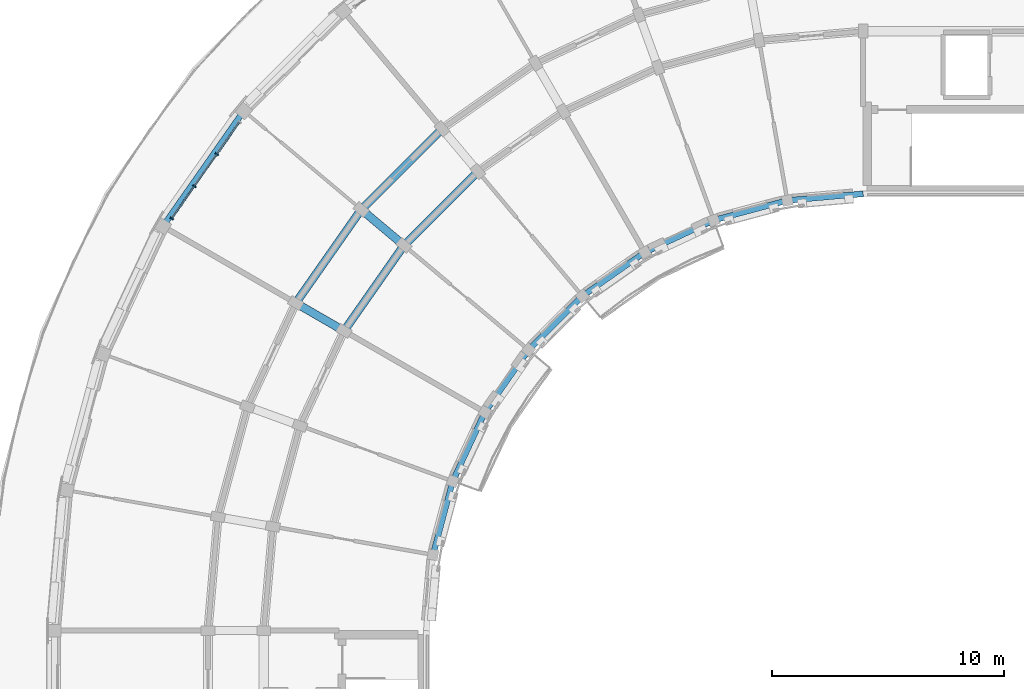
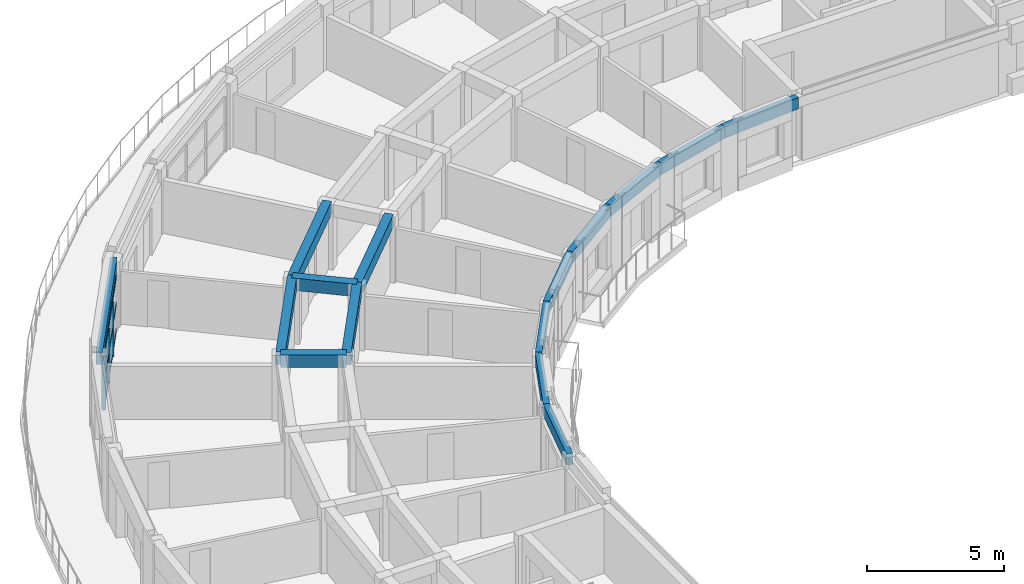
# One storey, part 2 of 14: 15 beams, 6 members, 1 element without a shape of its own.
"""IFC4 building model written with IfcOpenShell, lengths in metres."""

from ifc_helpers import new_model, si_unit, direction, frame, origin, origin_2d, place, context, subcontext, project, spatial, rectangle, extrude, material, material_profile, profile_set, type_object, element, aggregate, save


model = new_model("IFC4")

# Units and contexts
model_context = context("Model", 3, precision=1e-05, world=origin(), true_north=direction((0.0, 1.0)))
body_context = subcontext(model_context, "Body", "Model", "MODEL_VIEW")
ifc_project = project(units=[si_unit("LENGTHUNIT", "METRE"), si_unit("AREAUNIT", "SQUARE_METRE"), si_unit("VOLUMEUNIT", "CUBIC_METRE"), si_unit("PLANEANGLEUNIT", "RADIAN"), si_unit("MASSUNIT", "GRAM", prefix="KILO")], contexts=[model_context])

# Site, building, storey
site_placement = place(None, origin())
site = spatial("IfcSite", under=ifc_project, at=site_placement, CompositionType="ELEMENT")
building_placement = place(site_placement, origin())
building = spatial("IfcBuilding", under=site, at=building_placement, Name="Kiranvali Square Residences", CompositionType="ELEMENT")
storey_placement = place(building_placement, frame((0.0, 0.0, 49.64990234375)))
storey = spatial("IfcBuildingStorey", under=building, at=storey_placement, Name="L15", CompositionType="ELEMENT", Elevation=49.64990234375)

# Beams
ifc_material_1 = material(Name="Concrete M40 (40 MPa)", Category="concrete")
ifc_material_profile_1 = material_profile(ifc_material_1, rectangle(XDim=0.35009765625, YDim=0.550048828125, at=origin_2d()), Name="RC 350x550")
ifc_profile_set_1 = profile_set([ifc_material_profile_1], Name="Concrete M40 (40 MPa)")
beam_type_1 = type_object("IfcBeamType", Name="BM-M40-350x550", PredefinedType="BEAM", material=ifc_profile_set_1)
beam_1_placement = place(storey_placement, frame((31.615966796875, 107.56396484375, 2.635009765625), z_axis=(-0.707106781187, -0.707106781187, 0.0), x_axis=(0.707106781187, -0.707106781187, 0.0)))
element("IfcBeam", 1, at=beam_1_placement, inside=storey, type_object=beam_type_1, Name="L15 beam BM-A-L15-C04-R1", PredefinedType="BEAM", context=body_context, shape_type="SweptSolid", body=[
    extrude(rectangle(XDim=0.35009765625, YDim=0.550048828125, at=origin_2d()), origin(), (0.0, 0.0, 1.0), 4.4970703125),
])
beam_2_placement = place(storey_placement, frame((30.073486328125, 109.40234375, 2.635009765625), z_axis=(-0.707106781187, -0.707106781187, 0.0), x_axis=(0.707106781187, -0.707106781187, 0.0)))
element("IfcBeam", 2, at=beam_2_placement, inside=storey, type_object=beam_type_1, Name="L15 beam BM-A-L15-C04-R2", PredefinedType="BEAM", context=body_context, shape_type="SweptSolid", body=[
    extrude(rectangle(XDim=0.35009765625, YDim=0.550048828125, at=origin_2d()), origin(), (0.0, 0.0, 1.0), 4.91552734375),
])
beam_3_placement = place(storey_placement, frame((28.43603515625, 104.384033203125, 2.635009765625), z_axis=(-0.573571637217, -0.819155404658, 0.0), x_axis=(0.819155404658, -0.573571637217, 0.0)))
element("IfcBeam", 3, at=beam_3_placement, inside=storey, type_object=beam_type_1, Name="L15 beam BM-A-L15-C05-R1", PredefinedType="BEAM", context=body_context, shape_type="SweptSolid", body=[
    extrude(rectangle(XDim=0.35009765625, YDim=0.550048828125, at=origin_2d()), origin(), (0.0, 0.0, 1.0), 4.497314453125),
])
beam_4_placement = place(storey_placement, frame((26.59765625, 105.926513671875, 2.635009765625), z_axis=(-0.573592335331, -0.819140911474, 0.0), x_axis=(0.819140911474, -0.573592335331, 0.0)))
element("IfcBeam", 4, at=beam_4_placement, inside=storey, type_object=beam_type_1, Name="L15 beam BM-A-L15-C05-R2", PredefinedType="BEAM", context=body_context, shape_type="SweptSolid", body=[
    extrude(rectangle(XDim=0.35009765625, YDim=0.550048828125, at=origin_2d()), origin(), (0.0, 0.0, 1.0), 4.915771484375),
])
beam_5_placement = place(storey_placement, frame((28.43603515625, 104.384033203125, 2.635009765625), z_axis=(-0.766065493671, 0.642762521781, 0.0), x_axis=(-0.642762521781, -0.766065493671, 0.0)))
element("IfcBeam", 5, at=beam_5_placement, inside=storey, type_object=beam_type_1, Name="L15 beam BM-A-L15-RAD05-12", PredefinedType="BEAM", context=body_context, shape_type="SweptSolid", body=[
    extrude(rectangle(XDim=0.35009765625, YDim=0.550048828125, at=origin_2d()), origin(), (0.0, 0.0, 1.0), 2.399658203125),
])
beam_6_placement = place(storey_placement, frame((25.8564453125, 100.699951171875, 2.635009765625), z_axis=(-0.866024647952, 0.500001309137, 0.0), x_axis=(-0.500001309137, -0.866024647952, 0.0)))
element("IfcBeam", 6, at=beam_6_placement, inside=storey, type_object=beam_type_1, Name="L15 beam BM-A-L15-RAD06-12", PredefinedType="BEAM", context=body_context, shape_type="SweptSolid", body=[
    extrude(rectangle(XDim=0.35009765625, YDim=0.550048828125, at=origin_2d()), origin(), (0.0, 0.0, 1.0), 2.39990234375),
])

# Curtain wall, members
ifc_material_2 = material(Name="Anodised bronze aluminium framing", Category="aluminium")
curtain_wall_type = type_object("IfcCurtainWallType", Name="CW-RES-LOG", PredefinedType="USERDEFINED", material=ifc_material_2)
curtain_wall_placement = place(storey_placement, origin())
curtain_wall = element("IfcCurtainWall", 7, at=curtain_wall_placement, inside=storey, type_object=curtain_wall_type, Name="Block A L15 stepped curved terrace loggia 6", ObjectType="CURTAIN WALL", PredefinedType="USERDEFINED")
ifc_material_profile_2 = material_profile(ifc_material_2, rectangle(XDim=0.06494140625, YDim=0.159912109375, at=origin_2d()), Name="ALU 65x160")
ifc_profile_set_2 = profile_set([ifc_material_profile_2], Name="Anodised bronze aluminium framing")
member_type_1 = type_object("IfcMemberType", Name="CW-MUL-160", PredefinedType="MULLION", material=ifc_profile_set_2)
member_1_placement = place(storey_placement, frame((20.384521484375, 108.307373046875, 0.02001953125), z_axis=(0.0, 0.0, 1.0), x_axis=(-0.573576436351, -0.819152044289, 0.0)))
member_1 = element("IfcMember", 8, at=member_1_placement, type_object=member_type_1, Name="CW-A-L15-TER-05 vertical mullion 2", PredefinedType="MULLION", context=body_context, shape_type="SweptSolid", body=[
    extrude(rectangle(XDim=0.06494140625, YDim=0.159912109375, at=origin_2d()), origin(), (0.0, 0.0, 1.0), 2.420166015625),
])
member_2_placement = place(storey_placement, frame((19.416015625, 106.924072265625, 0.02001953125), z_axis=(0.0, 0.0, 1.0), x_axis=(-0.573576436351, -0.819152044289, 0.0)))
member_2 = element("IfcMember", 9, at=member_2_placement, type_object=member_type_1, Name="CW-A-L15-TER-05 vertical mullion 3", PredefinedType="MULLION", context=body_context, shape_type="SweptSolid", body=[
    extrude(rectangle(XDim=0.06494140625, YDim=0.159912109375, at=origin_2d()), origin(), (0.0, 0.0, 1.0), 2.420166015625),
])
member_3_placement = place(storey_placement, frame((18.447509765625, 105.540771484375, 0.02001953125), z_axis=(0.0, 0.0, 1.0), x_axis=(-0.573576436351, -0.819152044289, 0.0)))
member_3 = element("IfcMember", 10, at=member_3_placement, type_object=member_type_1, Name="CW-A-L15-TER-05 vertical mullion 4", PredefinedType="MULLION", context=body_context, shape_type="SweptSolid", body=[
    extrude(rectangle(XDim=0.06494140625, YDim=0.159912109375, at=origin_2d()), origin(), (0.0, 0.0, 1.0), 2.420166015625),
])
ifc_material_profile_3 = material_profile(ifc_material_2, rectangle(XDim=0.06494140625, YDim=0.139892578125, at=origin_2d()), Name="ALU 65x140")
ifc_profile_set_3 = profile_set([ifc_material_profile_3], Name="Anodised bronze aluminium framing")
member_type_2 = type_object("IfcMemberType", Name="CW-TRN-140", PredefinedType="MULLION", material=ifc_profile_set_3)
member_4_placement = place(storey_placement, frame((21.347412109375, 109.682373046875, 0.0400390625), z_axis=(-0.573569494388, -0.81915690506, 0.0), x_axis=(0.81915690506, -0.573569494388, 0.0)))
member_4 = element("IfcMember", 11, at=member_4_placement, type_object=member_type_2, Name="CW-A-L15-TER-05 horizontal transom 1", PredefinedType="MULLION", context=body_context, shape_type="SweptSolid", body=[
    extrude(rectangle(XDim=0.06494140625, YDim=0.139892578125, at=origin_2d()), origin(), (0.0, 0.0, 1.0), 5.046142578125),
])
member_5_placement = place(storey_placement, frame((21.347412109375, 109.682373046875, 1.22998046875), z_axis=(-0.573569494388, -0.81915690506, 0.0), x_axis=(0.81915690506, -0.573569494388, 0.0)))
member_5 = element("IfcMember", 12, at=member_5_placement, type_object=member_type_2, Name="CW-A-L15-TER-05 horizontal transom 2", PredefinedType="MULLION", context=body_context, shape_type="SweptSolid", body=[
    extrude(rectangle(XDim=0.06494140625, YDim=0.139892578125, at=origin_2d()), origin(), (0.0, 0.0, 1.0), 5.046142578125),
])
member_6_placement = place(storey_placement, frame((21.347412109375, 109.682373046875, 2.420166015625), z_axis=(-0.573569494388, -0.81915690506, 0.0), x_axis=(0.81915690506, -0.573569494388, 0.0)))
member_6 = element("IfcMember", 13, at=member_6_placement, type_object=member_type_2, Name="CW-A-L15-TER-05 horizontal transom 3", PredefinedType="MULLION", context=body_context, shape_type="SweptSolid", body=[
    extrude(rectangle(XDim=0.06494140625, YDim=0.139892578125, at=origin_2d()), origin(), (0.0, 0.0, 1.0), 5.046142578125),
])
aggregate(curtain_wall, [member_1, member_2, member_3, member_4, member_5, member_6])

# Beams
ifc_material_profile_4 = material_profile(ifc_material_1, rectangle(XDim=0.25, YDim=0.5, at=origin_2d()), Name="RC 250x500")
ifc_profile_set_4 = profile_set([ifc_material_profile_4], Name="Concrete M40 (40 MPa)")
beam_type_2 = type_object("IfcBeamType", Name="SPN-M40-250x500", PredefinedType="SPANDREL", material=ifc_profile_set_4)
beam_7_placement = place(storey_placement, frame((48.199951171875, 106.60009765625, 2.66015625), z_axis=(-0.996194040944, -0.087163253657, 0.0), x_axis=(0.087163253657, -0.996194040944, 0.0)))
element("IfcBeam", 14, at=beam_7_placement, inside=storey, type_object=beam_type_2, Name="L15 beam BM-A-L15-C00-R0", PredefinedType="SPANDREL", context=body_context, shape_type="SweptSolid", body=[
    extrude(rectangle(XDim=0.25, YDim=0.5, at=origin_2d()), origin(), (0.0, 0.0, 1.0), 3.277099609375),
])
beam_8_placement = place(storey_placement, frame((44.935302734375, 106.314453125, 2.66015625), z_axis=(-0.965925105099, -0.258821736607, 0.0), x_axis=(0.258821736607, -0.965925105099, 0.0)))
element("IfcBeam", 15, at=beam_8_placement, inside=storey, type_object=beam_type_2, Name="L15 beam BM-A-L15-C01-R0", PredefinedType="SPANDREL", context=body_context, shape_type="SweptSolid", body=[
    extrude(rectangle(XDim=0.25, YDim=0.5, at=origin_2d()), origin(), (0.0, 0.0, 1.0), 3.27685546875),
])
for number, where, z_axis, x_axis, name in (
    (16, (41.77001953125, 105.46630859375, 2.66015625), (-0.90629730464, -0.422640740585, 0.0), (0.422640740585, -0.90629730464, 0.0), "L15 beam BM-A-L15-C02-R0"),
    (17, (38.800048828125, 104.081298828125, 2.66015625), (-0.81916891812, -0.573552337269, 0.0), (0.573552337269, -0.81916891812, 0.0), "L15 beam BM-A-L15-C03-R0"),
):
    element("IfcBeam", number, at=place(storey_placement, frame(where, z_axis=z_axis, x_axis=x_axis)), inside=storey, type_object=beam_type_2, Name=name, PredefinedType="SPANDREL", context=body_context, shape_type="SweptSolid", body=[
        extrude(rectangle(XDim=0.25, YDim=0.5, at=origin_2d()), origin(), (0.0, 0.0, 1.0), 3.277099609375),
    ])
beam_9_placement = place(storey_placement, frame((36.115478515625, 102.20166015625, 2.66015625), z_axis=(-0.707106781187, -0.707106781187, 0.0), x_axis=(0.707106781187, -0.707106781187, 0.0)))
element("IfcBeam", 18, at=beam_9_placement, inside=storey, type_object=beam_type_2, Name="L15 beam BM-A-L15-C04-R0", PredefinedType="SPANDREL", context=body_context, shape_type="SweptSolid", body=[
    extrude(rectangle(XDim=0.25, YDim=0.5, at=origin_2d()), origin(), (0.0, 0.0, 1.0), 3.27685546875),
])
for number, where, z_axis, x_axis, name in (
    (19, (33.79833984375, 99.884521484375, 2.66015625), (-0.573552337269, -0.81916891812, 0.0), (0.81916891812, -0.573552337269, 0.0), "L15 beam BM-A-L15-C05-R0"),
    (20, (31.918701171875, 97.199951171875, 2.66015625), (-0.422640740585, -0.90629730464, 0.0), (0.90629730464, -0.422640740585, 0.0), "L15 beam BM-A-L15-C06-R0"),
):
    element("IfcBeam", number, at=place(storey_placement, frame(where, z_axis=z_axis, x_axis=x_axis)), inside=storey, type_object=beam_type_2, Name=name, PredefinedType="SPANDREL", context=body_context, shape_type="SweptSolid", body=[
        extrude(rectangle(XDim=0.25, YDim=0.5, at=origin_2d()), origin(), (0.0, 0.0, 1.0), 3.277099609375),
    ])
beam_10_placement = place(storey_placement, frame((30.53369140625, 94.22998046875, 2.66015625), z_axis=(-0.258821736607, -0.965925105099, 0.0), x_axis=(0.965925105099, -0.258821736607, 0.0)))
element("IfcBeam", 21, at=beam_10_placement, inside=storey, type_object=beam_type_2, Name="L15 beam BM-A-L15-C07-R0", PredefinedType="SPANDREL", context=body_context, shape_type="SweptSolid", body=[
    extrude(rectangle(XDim=0.25, YDim=0.5, at=origin_2d()), origin(), (0.0, 0.0, 1.0), 3.27685546875),
])
ifc_material_profile_5 = material_profile(ifc_material_1, rectangle(XDim=0.25, YDim=0.550048828125, at=origin_2d()), Name="RC 250x550")
ifc_profile_set_5 = profile_set([ifc_material_profile_5], Name="Concrete M40 (40 MPa)")
beam_type_3 = type_object("IfcBeamType", Name="SPN-M40-250x550", PredefinedType="SPANDREL", material=ifc_profile_set_5)
beam_11_placement = place(storey_placement, frame((21.541748046875, 110.1689453125, 2.635009765625), z_axis=(-0.573594691504, -0.81913926159, 0.0), x_axis=(0.81913926159, -0.573594691504, 0.0)))
element("IfcBeam", 22, at=beam_11_placement, inside=storey, type_object=beam_type_3, Name="L15 beam BM-A-L15-C05-R3", PredefinedType="SPANDREL", context=body_context, shape_type="SweptSolid", body=[
    extrude(rectangle(XDim=0.25, YDim=0.550048828125, at=origin_2d()), origin(), (0.0, 0.0, 1.0), 6.066162109375),
])

save(model, "model.ifc")
